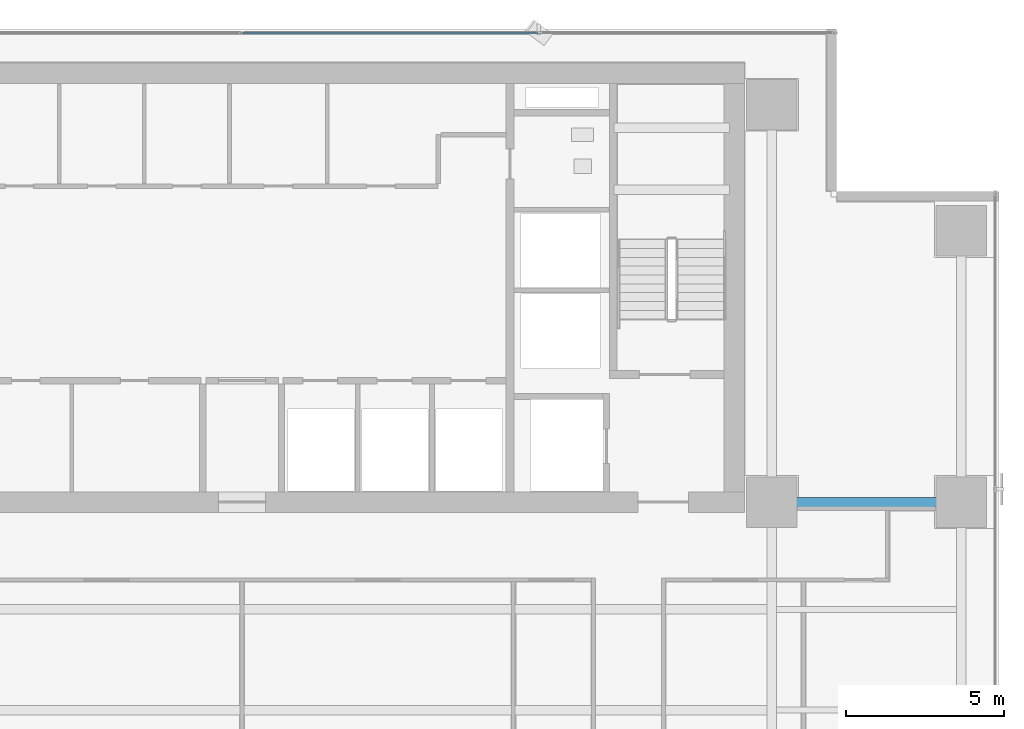
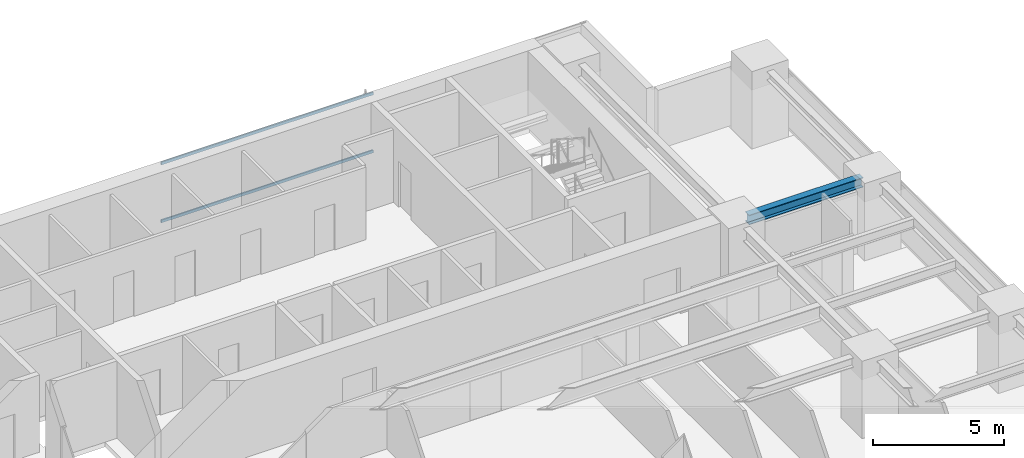
# One storey, part 17 of 28: 2 members, 1 beam, 1 element without a shape of its own.
"""IFC4 building model written with IfcOpenShell, lengths in metres."""

from ifc_helpers import new_model, si_unit, direction, frame, origin, origin_2d, place, context, subcontext, project, spatial, hollow_rectangle, i_section, extrude, source, transform, mapped, material, layer, layer_set, material_profile, profile_set, type_object, element, aggregate, save


model = new_model("IFC4")

# Units and contexts
model_context = context("Model", 3, precision=1e-05, world=origin(), true_north=direction((0.0, 1.0)))
body_context = subcontext(model_context, "Body", "Model", "MODEL_VIEW")
ifc_project = project(units=[si_unit("LENGTHUNIT", "METRE"), si_unit("AREAUNIT", "SQUARE_METRE"), si_unit("VOLUMEUNIT", "CUBIC_METRE"), si_unit("PLANEANGLEUNIT", "RADIAN"), si_unit("MASSUNIT", "GRAM", prefix="KILO")], contexts=[model_context])

# Site, building, storey
site_placement = place(None, origin())
site = spatial("IfcSite", under=ifc_project, at=site_placement, CompositionType="ELEMENT")
building_placement = place(site_placement, origin())
building = spatial("IfcBuilding", under=site, at=building_placement, Name="Sumidabori Civic Tower", CompositionType="ELEMENT")
storey_placement = place(building_placement, frame((0.0, 0.0, 182.0)))
storey = spatial("IfcBuildingStorey", under=building, at=storey_placement, Name="L47", CompositionType="ELEMENT", Elevation=182.0)

# Beam
ifc_material_1 = material(Name="Steel SN490", Category="steel")
ifc_material_profile_1 = material_profile(ifc_material_1, i_section(OverallWidth=0.300048828125, OverallDepth=0.449951171875, WebThickness=0.013916015625, FlangeThickness=0.02587890625, at=origin_2d()), Name="HE 450 B")
ifc_profile_set_1 = profile_set([ifc_material_profile_1], Name="Steel SN490")
beam_type = type_object("IfcBeamType", Name="BM-GIRD-450", PredefinedType="BEAM", material=ifc_profile_set_1)
shared_shape_1 = source(origin(), body_context, "Body", "SweptSolid", [
    extrude(i_section(OverallWidth=0.300048828125, OverallDepth=0.449951171875, WebThickness=0.013916015625, FlangeThickness=0.02587890625, at=origin_2d()), origin(), (0.0, 0.0, 1.0), 5.0400390625),
])
beam_placement = place(storey_placement, frame((17.280029296875, 10.199951171875, 3.155029296875), z_axis=(1.0, 0.0, 0.0), x_axis=(0.0, 1.0, 0.0)))
element("IfcBeam", 1, at=beam_placement, inside=storey, type_object=beam_type, Name="Primary Girder L47 GX-18", PredefinedType="BEAM", context=body_context, shape_type="MappedRepresentation", body=[
    mapped(shared_shape_1, transform((0.0, 0.0, 0.0), x_axis=(1.0, 0.0, 0.0), y_axis=(0.0, 1.0, 0.0), z_axis=(0.0, 0.0, 1.0), scale=1.0)),
])

# Curtain wall, members
ifc_material_2 = material(Name="Anodised Bronze Aluminium AW-6063-T6", Category="aluminium")
ifc_layer = layer(ifc_material_2, 0.179931640625, Name="Anodised Bronze Aluminium AW-6063-T6")
ifc_layer_set = layer_set([ifc_layer], Name="Anodised Bronze Aluminium AW-6063-T6")
curtain_wall_type = type_object("IfcCurtainWallType", Name="CW-SYS-3", PredefinedType="NOTDEFINED", material=ifc_layer_set)
curtain_wall_placement = place(storey_placement, origin())
curtain_wall = element("IfcCurtainWall", 2, at=curtain_wall_placement, inside=storey, type_object=curtain_wall_type, Name="Curtain Wall CW:L47:R07", PredefinedType="NOTDEFINED")
ifc_material_profile_2 = material_profile(ifc_material_2, hollow_rectangle(XDim=0.06005859375, YDim=0.1298828125, WallThickness=0.0048828125, at=origin_2d()), Name="ALU TRANSOM 130x60")
ifc_profile_set_2 = profile_set([ifc_material_profile_2], Name="Anodised Bronze Aluminium AW-6063-T6")
member_type = type_object("IfcMemberType", Name="CW-TRN-130", PredefinedType="USERDEFINED", material=ifc_profile_set_2)
shared_shape_2 = source(origin(), body_context, "Body", "SweptSolid", [
    extrude(hollow_rectangle(XDim=0.06005859375, YDim=0.1298828125, WallThickness=0.0048828125, at=origin_2d()), origin(), (0.0, 0.0, 1.0), 9.344970703125),
])
member_1_placement = place(storey_placement, frame((9.37744140625, 25.080078125, 0.030029296875), z_axis=(-1.0, 0.0, 0.0), x_axis=(0.0, -1.0, 0.0)))
member_1 = element("IfcMember", 3, at=member_1_placement, type_object=member_type, Name="CW-3 transom 2.1", ObjectType="TRANSOM", PredefinedType="USERDEFINED", context=body_context, shape_type="MappedRepresentation", body=[
    mapped(shared_shape_2, transform((0.0, 0.0, 0.0), x_axis=(1.0, 0.0, 0.0), y_axis=(0.0, 1.0, 0.0), z_axis=(0.0, 0.0, 1.0), scale=1.0)),
])
member_2_placement = place(storey_placement, frame((9.37744140625, 25.080078125, 2.72998046875), z_axis=(-1.0, 0.0, 0.0), x_axis=(0.0, -1.0, 0.0)))
member_2 = element("IfcMember", 4, at=member_2_placement, type_object=member_type, Name="CW-3 transom 2.2", ObjectType="TRANSOM", PredefinedType="USERDEFINED", context=body_context, shape_type="MappedRepresentation", body=[
    mapped(shared_shape_2, transform((0.0, 0.0, 0.0), x_axis=(1.0, 0.0, 0.0), y_axis=(0.0, 1.0, 0.0), z_axis=(0.0, 0.0, 1.0), scale=1.0)),
])
aggregate(curtain_wall, [member_1, member_2])

save(model, "model.ifc")
